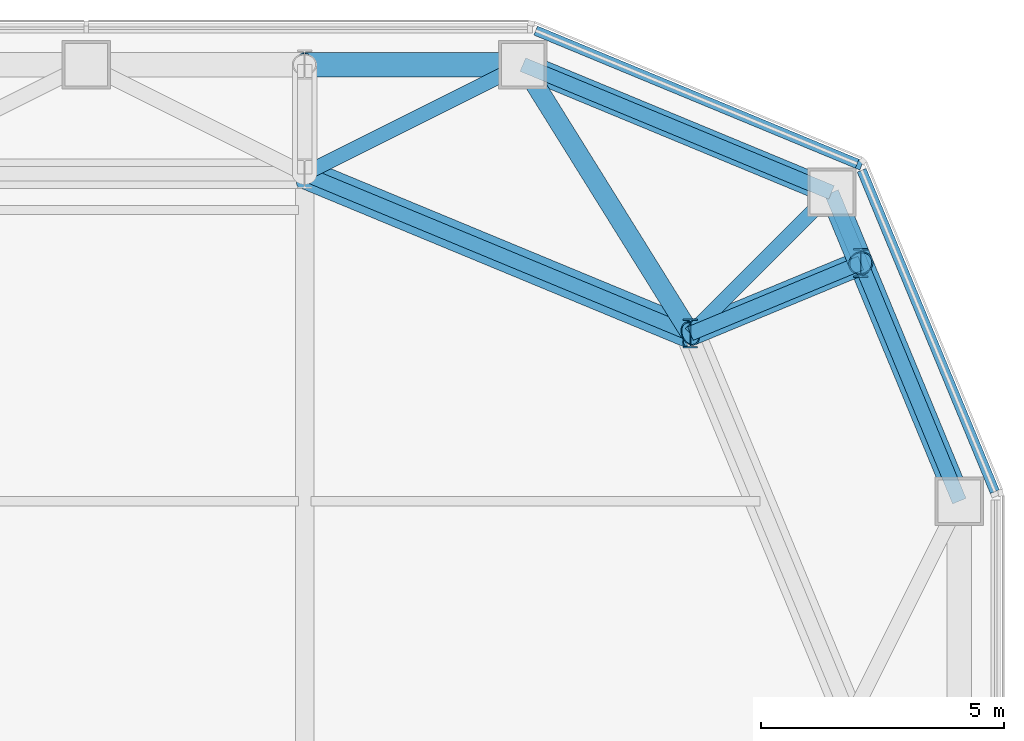
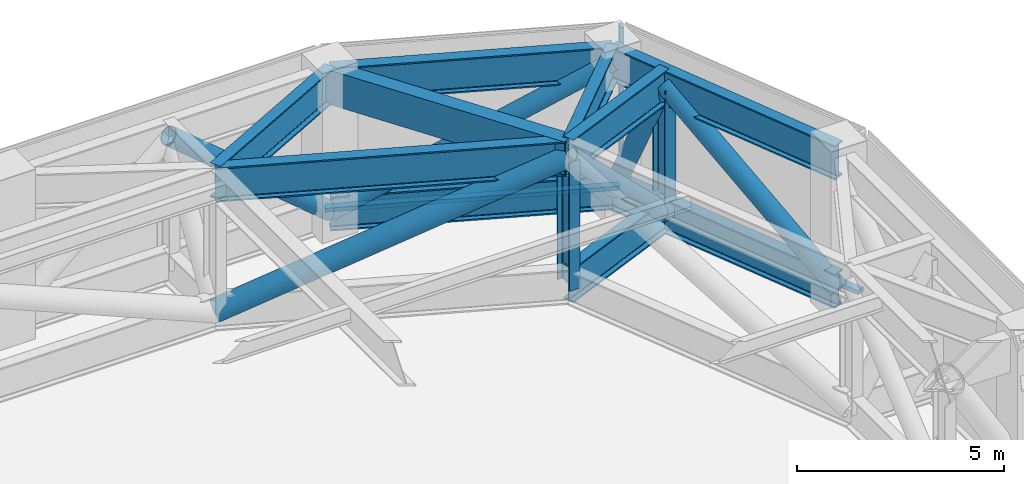
# One storey, part 12 of 33: 11 members, 10 beams, 2 elements without a shape of their own.
"""IFC4 building model written with IfcOpenShell, lengths in metres."""

from ifc_helpers import new_model, si_unit, direction, frame, origin, origin_2d, place, context, subcontext, project, spatial, rectangle, hollow_rectangle, hollow_circle, i_section, extrude, material, layer, layer_set, material_profile, profile_set, type_object, element, aggregate, save


model = new_model("IFC4")

# Units and contexts
model_context = context("Model", 3, precision=1e-05, world=origin(), true_north=direction((0.0, 1.0)))
body_context = subcontext(model_context, "Body", "Model", "MODEL_VIEW")
ifc_project = project(units=[si_unit("LENGTHUNIT", "METRE"), si_unit("AREAUNIT", "SQUARE_METRE"), si_unit("VOLUMEUNIT", "CUBIC_METRE"), si_unit("PLANEANGLEUNIT", "RADIAN"), si_unit("MASSUNIT", "GRAM", prefix="KILO")], contexts=[model_context])

# Site, building, storey
site_placement = place(None, origin())
site = spatial("IfcSite", under=ifc_project, at=site_placement, CompositionType="ELEMENT")
building_placement = place(site_placement, origin())
building = spatial("IfcBuilding", under=site, at=building_placement, Name="Siwar Civic Tower", CompositionType="ELEMENT")
storey_placement = place(building_placement, frame((0.0, 0.0, 94.199951171875)))
storey = spatial("IfcBuildingStorey", under=building, at=storey_placement, Name="L20", CompositionType="ELEMENT", Elevation=94.199951171875)

# Curtain wall, member
ifc_material_1 = material(Name="Aluminium and glass", Category="aluminium")
ifc_layer = layer(ifc_material_1, 0.199951171875)
ifc_layer_set = layer_set([ifc_layer], Name="Aluminium and glass")
curtain_wall_type = type_object("IfcCurtainWallType", Name="ENV-CW-P", PredefinedType="NOTDEFINED", material=ifc_layer_set)
curtain_wall_1_placement = place(storey_placement, origin())
curtain_wall_1 = element("IfcCurtainWall", 1, at=curtain_wall_1_placement, inside=storey, type_object=curtain_wall_type, Name="Curtain wall P NE2", PredefinedType="NOTDEFINED")
ifc_material_2 = material(Name="Aluminium 6063-T6", Category="aluminium")
ifc_material_profile_1 = material_profile(ifc_material_2, rectangle(XDim=0.199951171875, YDim=0.10009765625, at=origin_2d()), Name="AL 200x100")
ifc_profile_set_1 = profile_set([ifc_material_profile_1], Name="Aluminium 6063-T6")
member_type_1 = type_object("IfcMemberType", Name="ENV-MULLION-P", PredefinedType="MULLION", material=ifc_profile_set_1)
member_1_placement = place(storey_placement, frame((29.43798828125, 29.43798828125, 0.0), z_axis=(0.0, 0.0, 1.0), x_axis=(-0.382683432365, -0.923879532511, 0.0)))
member_1 = element("IfcMember", 2, at=member_1_placement, type_object=member_type_1, Name="Mullion P NE2 1", PredefinedType="MULLION", context=body_context, shape_type="SweptSolid", body=[
    extrude(rectangle(XDim=0.199951171875, YDim=0.10009765625, at=origin_2d()), origin(), (0.0, 0.0, 1.0), 4.800048828125),
])

curtain_wall_2_placement = place(storey_placement, origin())
curtain_wall_2 = element("IfcCurtainWall", 3, at=curtain_wall_2_placement, inside=storey, type_object=curtain_wall_type, Name="Curtain wall P NE1", PredefinedType="NOTDEFINED")
ifc_material_3 = material(Name="Aluminium 6063-T6", Category="aluminium")
ifc_material_profile_2 = material_profile(ifc_material_3, rectangle(XDim=0.199951171875, YDim=0.1201171875, at=origin_2d()), Name="AL 200x120")
ifc_profile_set_2 = profile_set([ifc_material_profile_2], Name="Aluminium 6063-T6")
member_type_2 = type_object("IfcMemberType", Name="ENV-TRANSOM-P", PredefinedType="USERDEFINED", material=ifc_profile_set_2)
member_2_placement = place(storey_placement, frame((32.23095703125, 22.6953125, 0.06005859375), z_axis=(-0.382678484395, 0.923881582012, 0.0), x_axis=(-0.923881582012, -0.382678484395, 0.0)))
member_2 = element("IfcMember", 4, at=member_2_placement, type_object=member_type_2, Name="Transom P NE1 1", ObjectType="TRANSOM", PredefinedType="USERDEFINED", context=body_context, shape_type="SweptSolid", body=[
    extrude(rectangle(XDim=0.199951171875, YDim=0.1201171875, at=origin_2d()), origin(), (0.0, 0.0, 1.0), 7.172119140625),
])
aggregate(curtain_wall_2, [member_2])

# Member
member_3_placement = place(storey_placement, frame((29.391845703125, 29.45703125, 0.06005859375), z_axis=(-0.923881582012, 0.382678484395, 0.0), x_axis=(-0.382678484395, -0.923881582012, 0.0)))
member_3 = element("IfcMember", 5, at=member_3_placement, type_object=member_type_2, Name="Transom P NE2 1", ObjectType="TRANSOM", PredefinedType="USERDEFINED", context=body_context, shape_type="SweptSolid", body=[
    extrude(rectangle(XDim=0.199951171875, YDim=0.1201171875, at=origin_2d()), origin(), (0.0, 0.0, 1.0), 7.172119140625),
])

aggregate(curtain_wall_1, [member_1, member_3])

# Beams
ifc_material_4 = material(Name="Steel S460", Category="steel")
ifc_material_profile_3 = material_profile(ifc_material_4, i_section(OverallWidth=0.302001953125, OverallDepth=1.008056640625, WebThickness=0.02099609375, FlangeThickness=0.0400390625, FilletRadius=0.030029296875, at=origin_2d()), Name="HEM1000")
ifc_profile_set_3 = profile_set([ifc_material_profile_3], Name="Steel S460")
beam_type_1 = type_object("IfcBeamType", Name="STR-BELT-TRUSS-CHORD-HEM1000", PredefinedType="BEAM", material=ifc_profile_set_3)
beam_1_placement = place(storey_placement, frame((25.954833984375, 25.954833984375, 4.296142578125), z_axis=(-0.923872720536, 0.382699877515, 0.0), x_axis=(-0.382699877515, -0.923872720536, 0.0)))
element("IfcBeam", 6, at=beam_1_placement, inside=storey, type_object=beam_type_1, Name="Belt truss chord", PredefinedType="BEAM", context=body_context, shape_type="SweptSolid", body=[
    extrude(i_section(OverallWidth=0.302001953125, OverallDepth=1.008056640625, WebThickness=0.02099609375, FlangeThickness=0.0400390625, FilletRadius=0.030029296875, at=origin_2d()), origin(), (0.0, 0.0, 1.0), 8.6103515625),
])
for number, where, z_axis, x_axis, name in (
    (7, (31.5, 22.5, 0.504150390625), (-0.382674207535, 0.923883353507, 0.0), (-0.923883353507, -0.382674207535, 0.0), "Belt truss chord"),
    (8, (31.5, 22.5, 4.296142578125), (-0.382674207535, 0.923883353507, 0.0), (-0.923883353507, -0.382674207535, 0.0), "Belt truss chord"),
    (9, (28.864013671875, 28.864013671875, 0.504150390625), (-0.923883353507, 0.382674207535, 0.0), (-0.382674207535, -0.923883353507, 0.0), "Belt truss chord"),
    (10, (28.864013671875, 28.864013671875, 4.296142578125), (-0.923883353507, 0.382674207535, 0.0), (-0.382674207535, -0.923883353507, 0.0), "Belt truss chord"),
):
    element("IfcBeam", number, at=place(storey_placement, frame(where, z_axis=z_axis, x_axis=x_axis)), inside=storey, type_object=beam_type_1, Name=name, PredefinedType="BEAM", context=body_context, shape_type="SweptSolid", body=[
        extrude(i_section(OverallWidth=0.302001953125, OverallDepth=1.008056640625, WebThickness=0.02099609375, FlangeThickness=0.0400390625, FilletRadius=0.030029296875, at=origin_2d()), origin(), (0.0, 0.0, 1.0), 6.888427734375),
    ])

# Members
ifc_material_5 = material(Name="Steel S355", Category="steel")
ifc_material_profile_4 = material_profile(ifc_material_5, hollow_circle(Radius=0.25390625, WallThickness=0.02490234375, at=origin_2d()), Name="CHS508x25")
ifc_profile_set_4 = profile_set([ifc_material_profile_4], Name="Steel S355")
member_type_3 = type_object("IfcMemberType", Name="STR-BELT-TRUSS-DIAGONAL-CHS508x25", PredefinedType="BRACE", material=ifc_profile_set_4)
member_4_placement = place(storey_placement, frame((31.50146484375, 22.496337890625, 0.501220703125), z_axis=(-0.311494757226, 0.752038409319, 0.580869389045), x_axis=(-0.923883767876, -0.382673207131, 0.0)))
element("IfcMember", 11, at=member_4_placement, inside=storey, type_object=member_type_3, Name="Belt truss diagonal", PredefinedType="BRACE", context=body_context, shape_type="SweptSolid", body=[
    extrude(hollow_circle(Radius=0.25390625, WallThickness=0.02490234375, at=origin_2d()), origin(), (0.0, 0.0, 1.0), 6.538330078125),
])
member_5_placement = place(storey_placement, frame((28.86328125, 28.86572265625, 0.49951171875), z_axis=(0.146750551802, -0.35424183321, 0.92356753903), x_axis=(0.923862215035, 0.382725237776, 0.0)))
element("IfcMember", 12, at=member_5_placement, inside=storey, type_object=member_type_3, Name="Belt truss diagonal", PredefinedType="BRACE", context=body_context, shape_type="SweptSolid", body=[
    extrude(hollow_circle(Radius=0.25390625, WallThickness=0.02490234375, at=origin_2d()), origin(), (0.0, 0.0, 1.0), 4.115966796875),
])
member_6_placement = place(storey_placement, frame((22.495849609375, 31.501708984375, 0.501708984375), z_axis=(0.80935725849, -0.335247560212, 0.48223428072), x_axis=(0.38268421859, 0.923879206846, 0.0)))
element("IfcMember", 13, at=member_6_placement, inside=storey, type_object=member_type_3, Name="Belt truss diagonal", PredefinedType="BRACE", context=body_context, shape_type="SweptSolid", body=[
    extrude(hollow_circle(Radius=0.25390625, WallThickness=0.02490234375, at=origin_2d()), origin(), (0.0, 0.0, 1.0), 7.873046875),
])
member_7_placement = place(storey_placement, frame((22.50390625, 31.5, 0.500732421875), z_axis=(-0.764699580999, 0.0, 0.644386957364), x_axis=(0.0, -1.0, 0.0)))
element("IfcMember", 14, at=member_7_placement, inside=storey, type_object=member_type_3, Name="Belt truss diagonal", PredefinedType="BRACE", context=body_context, shape_type="SweptSolid", body=[
    extrude(hollow_circle(Radius=0.25390625, WallThickness=0.02490234375, at=origin_2d()), origin(), (0.0, 0.0, 1.0), 5.894775390625),
])
member_8_placement = place(storey_placement, frame((29.4697265625, 27.410888671875, 0.50048828125), z_axis=(-0.654040061492, -0.270920550107, 0.706281568139), x_axis=(0.382693423148, -0.92387539413, 0.0)))
element("IfcMember", 15, at=member_8_placement, inside=storey, type_object=member_type_3, Name="Belt truss diagonal", PredefinedType="BRACE", context=body_context, shape_type="SweptSolid", body=[
    extrude(hollow_circle(Radius=0.25390625, WallThickness=0.02490234375, at=origin_2d()), origin(), (0.0, 0.0, 1.0), 5.37890625),
])
ifc_material_6 = material(Name="Steel S355", Category="steel")
ifc_material_profile_5 = material_profile(ifc_material_6, hollow_circle(Radius=0.304931640625, WallThickness=0.030029296875, at=origin_2d()), Name="CHS610x30")
ifc_profile_set_5 = profile_set([ifc_material_profile_5], Name="Steel S355")
member_type_4 = type_object("IfcMemberType", Name="STR-BELT-TRUSS-DIAGONAL-CHS610x30", PredefinedType="BRACE", material=ifc_profile_set_5)
member_9_placement = place(storey_placement, frame((17.995849609375, 29.251708984375, 0.501953125), z_axis=(0.845510540146, -0.350226651172, 0.403054858935), x_axis=(0.382687832972, 0.923877709708, 0.0)))
element("IfcMember", 16, at=member_9_placement, inside=storey, type_object=member_type_4, Name="Belt truss diagonal", PredefinedType="BRACE", context=body_context, shape_type="SweptSolid", body=[
    extrude(hollow_circle(Radius=0.304931640625, WallThickness=0.030029296875, at=origin_2d()), origin(), (0.0, 0.0, 1.0), 9.41845703125),
])

# Beams
ifc_material_7 = material(Name="Steel S460", Category="steel")
ifc_material_profile_6 = material_profile(ifc_material_7, i_section(OverallWidth=0.302001953125, OverallDepth=1.008056640625, WebThickness=0.02099609375, FlangeThickness=0.0400390625, FilletRadius=0.030029296875, at=origin_2d()), Name="HEM1000")
ifc_profile_set_6 = profile_set([ifc_material_profile_6], Name="Steel S460")
beam_type_2 = type_object("IfcBeamType", Name="STR-BELT-TRUSS-LADDER-CHORD-HEM1000", PredefinedType="BEAM", material=ifc_profile_set_6)
for number, where, z_axis, x_axis, name in (
    (17, (25.954833984375, 25.954833984375, 0.504150390625), (0.923880619824, 0.382680807349, 0.0), (-0.382680807349, 0.923880619824, 0.0), "Belt truss ladder chord"),
    (18, (25.954833984375, 25.954833984375, 4.296142578125), (0.923880619824, 0.382680807349, 0.0), (-0.382680807349, 0.923880619824, 0.0), "Belt truss ladder chord"),
):
    element("IfcBeam", number, at=place(storey_placement, frame(where, z_axis=z_axis, x_axis=x_axis)), inside=storey, type_object=beam_type_2, Name=name, PredefinedType="BEAM", context=body_context, shape_type="SweptSolid", body=[
        extrude(i_section(OverallWidth=0.302001953125, OverallDepth=1.008056640625, WebThickness=0.02099609375, FlangeThickness=0.0400390625, FilletRadius=0.030029296875, at=origin_2d()), origin(), (0.0, 0.0, 1.0), 3.801025390625),
    ])

# Members
ifc_material_8 = material(Name="Steel S355", Category="steel")
ifc_material_profile_7 = material_profile(ifc_material_8, i_section(OverallWidth=0.300048828125, OverallDepth=0.60009765625, WebThickness=0.015380859375, FlangeThickness=0.030029296875, FilletRadius=0.027099609375, at=origin_2d()), Name="HEB600")
ifc_profile_set_7 = profile_set([ifc_material_profile_7], Name="Steel S355")
member_type_5 = type_object("IfcMemberType", Name="STR-BELT-TRUSS-POST-HEB600", PredefinedType="POST", material=ifc_profile_set_7)
for number, where, z_axis, x_axis, name in (
    (19, (25.954833984375, 25.954833984375, 0.504150390625), (0.0, 0.0, 1.0), (1.0, 0.0, 0.0), "Belt truss post"),
    (20, (29.466552734375, 27.409423828125, 0.504150390625), (0.0, 0.0, 1.0), (1.0, 0.0, 0.0), "Belt truss post"),
):
    element("IfcMember", number, at=place(storey_placement, frame(where, z_axis=z_axis, x_axis=x_axis)), inside=storey, type_object=member_type_5, Name=name, PredefinedType="POST", context=body_context, shape_type="SweptSolid", body=[
        extrude(i_section(OverallWidth=0.300048828125, OverallDepth=0.60009765625, WebThickness=0.015380859375, FlangeThickness=0.030029296875, FilletRadius=0.027099609375, at=origin_2d()), origin(), (0.0, 0.0, 1.0), 3.7919921875),
    ])

# Beams
ifc_material_9 = material(Name="Steel S460", Category="steel")
ifc_material_profile_8 = material_profile(ifc_material_9, hollow_rectangle(XDim=0.39990234375, YDim=1.008056640625, WallThickness=0.0400390625, at=origin_2d()), Name="BOX1008x400x40")
ifc_profile_set_8 = profile_set([ifc_material_profile_8], Name="Steel S460")
beam_type_3 = type_object("IfcBeamType", Name="STR-TRANSFER-GIRDER-BOX1008x400x40", PredefinedType="BEAM", material=ifc_profile_set_8)
beam_2_placement = place(storey_placement, frame((25.954833984375, 25.954833984375, 4.296142578125), z_axis=(-0.528799264525, 0.848746922137, 0.0), x_axis=(-0.848746922137, -0.528799264525, 0.0)))
element("IfcBeam", 21, at=beam_2_placement, inside=storey, type_object=beam_type_3, Name="Transfer girder", PredefinedType="BEAM", context=body_context, shape_type="SweptSolid", body=[
    extrude(hollow_rectangle(XDim=0.39990234375, YDim=1.008056640625, WallThickness=0.0400390625, at=origin_2d()), origin(), (0.0, 0.0, 1.0), 6.533447265625),
])
ifc_material_10 = material(Name="Steel S460", Category="steel")
ifc_material_profile_9 = material_profile(ifc_material_10, i_section(OverallWidth=0.302001953125, OverallDepth=1.008056640625, WebThickness=0.02099609375, FlangeThickness=0.0400390625, FilletRadius=0.030029296875, at=origin_2d()), Name="HEM1000")
ifc_profile_set_9 = profile_set([ifc_material_profile_9], Name="Steel S460")
beam_type_4 = type_object("IfcBeamType", Name="STR-TRANSFER-GIRDER-HEM1000", PredefinedType="BEAM", material=ifc_profile_set_9)
beam_3_placement = place(storey_placement, frame((25.954833984375, 25.954833984375, 4.296142578125), z_axis=(0.707106781187, 0.707106781187, 0.0), x_axis=(-0.707106781187, 0.707106781187, 0.0)))
element("IfcBeam", 22, at=beam_3_placement, inside=storey, type_object=beam_type_4, Name="Transfer girder", PredefinedType="BEAM", context=body_context, shape_type="SweptSolid", body=[
    extrude(i_section(OverallWidth=0.302001953125, OverallDepth=1.008056640625, WebThickness=0.02099609375, FlangeThickness=0.0400390625, FilletRadius=0.030029296875, at=origin_2d()), origin(), (0.0, 0.0, 1.0), 4.1142578125),
])
beam_4_placement = place(storey_placement, frame((18.0, 29.25, 4.296142578125), z_axis=(0.894427191, 0.4472135955, 0.0), x_axis=(-0.4472135955, 0.894427191, 0.0)))
element("IfcBeam", 23, at=beam_4_placement, inside=storey, type_object=beam_type_4, Name="Transfer girder", PredefinedType="BEAM", context=body_context, shape_type="SweptSolid", body=[
    extrude(i_section(OverallWidth=0.302001953125, OverallDepth=1.008056640625, WebThickness=0.02099609375, FlangeThickness=0.0400390625, FilletRadius=0.030029296875, at=origin_2d()), origin(), (0.0, 0.0, 1.0), 5.03125),
])

save(model, "model.ifc")
